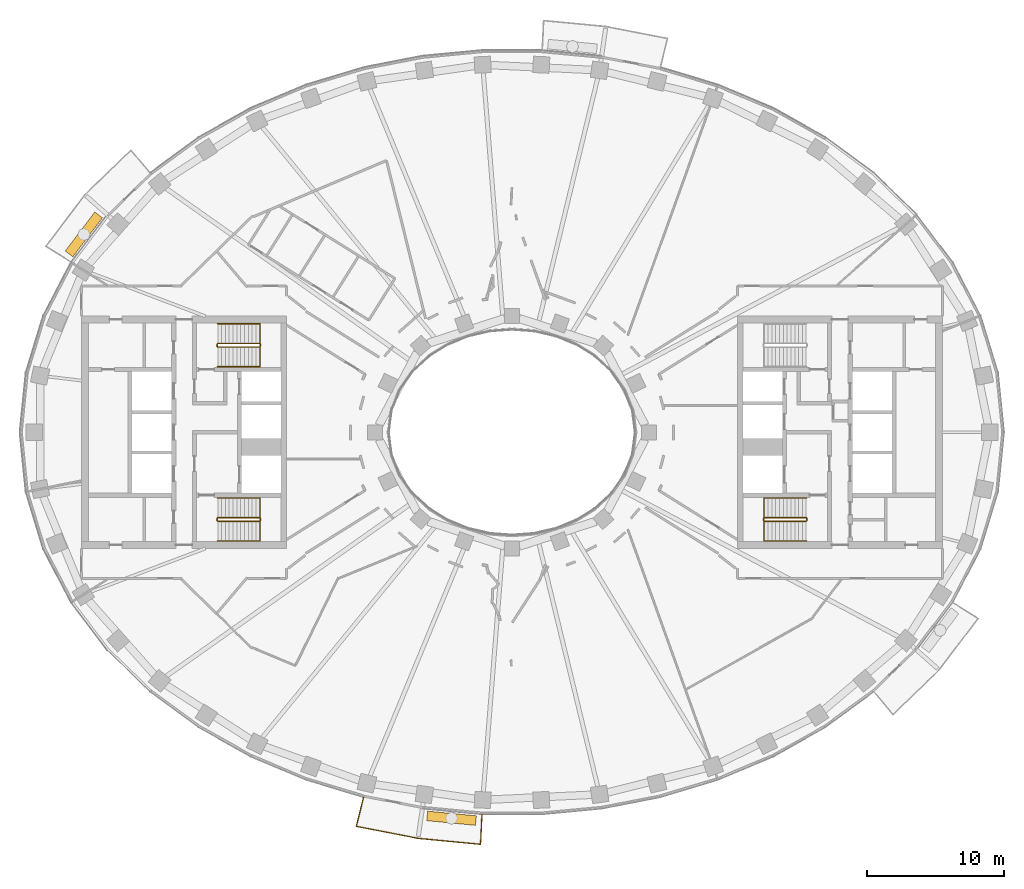
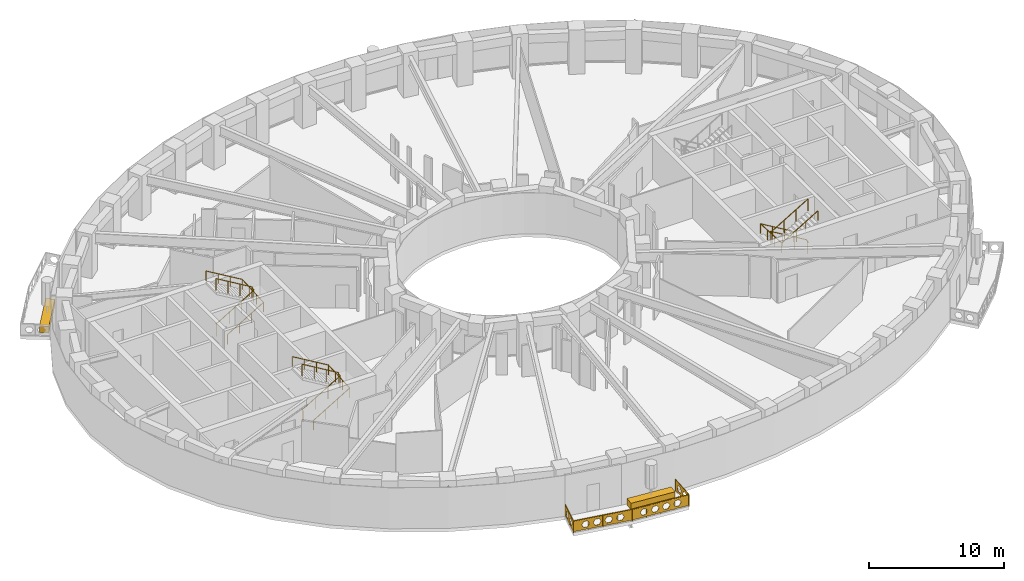
# One storey, part 14 of 16: 7 railings, 2 coverings.
"""IFC4 building model written with IfcOpenShell, lengths in metres."""

from ifc_helpers import new_model, si_unit, direction, frame, origin, origin_2d, place, context, subcontext, project, spatial, polyline, rectangle, outline, extrude, material, type_object, element, save


model = new_model("IFC4")

# Units and contexts
model_context = context("Model", 3, precision=1e-05, world=origin(), true_north=direction((0.0, 1.0)))
body_context = subcontext(model_context, "Body", "Model", "MODEL_VIEW")
ifc_project = project(units=[si_unit("LENGTHUNIT", "METRE"), si_unit("AREAUNIT", "SQUARE_METRE"), si_unit("VOLUMEUNIT", "CUBIC_METRE"), si_unit("PLANEANGLEUNIT", "RADIAN"), si_unit("MASSUNIT", "GRAM", prefix="KILO")], contexts=[model_context])

# Site, building, storey
site_placement = place(None, origin())
site = spatial("IfcSite", under=ifc_project, at=site_placement, CompositionType="ELEMENT")
building_placement = place(site_placement, origin())
building = spatial("IfcBuilding", under=site, at=building_placement, Name="Noorbagh Ring Tower", CompositionType="ELEMENT")
storey_placement = place(building_placement, frame((0.0, 0.0, 154.0)))
storey = spatial("IfcBuildingStorey", under=building, at=storey_placement, Name="L35", CompositionType="ELEMENT", Elevation=154.0)

# Railings
ifc_material_1 = material(Name="Stainless steel", Category="steel")
railing_type_1 = type_object("IfcRailingType", Name="CORE-STAIR-GUARD", PredefinedType="GUARDRAIL", material=ifc_material_1)
railing_1_placement = place(storey_placement, frame((-21.580078125, 6.300048828125, 0.0)))
element("IfcRailing", 1, at=railing_1_placement, inside=storey, type_object=railing_type_1, Name="L35 ST1 stair guard", PredefinedType="GUARDRAIL", context=body_context, shape_type="SweptSolid", body=[
    extrude(rectangle(XDim=0.048095703125, YDim=0.048095703125, at=origin_2d()), frame((0.0, 0.0, 1.076171875), z_axis=(0.0, 1.0, 0.0), x_axis=(-1.0, 0.0, 0.0)), (0.0, 0.0, 1.0), 0.14990234375),
    extrude(rectangle(XDim=0.048095703125, YDim=0.048095703125, at=origin_2d()), frame((0.0, 0.14990234375, 1.076171875), z_axis=(0.188775798145, -0.754182335027, 0.628945707965), x_axis=(0.970072785993, 0.242814311512, 0.0)), (0.0, 0.0, 1.0), 0.26513671875),
    extrude(rectangle(XDim=0.048095703125, YDim=0.048095703125, at=origin_2d()), frame((0.050048828125, -0.050048828125, 1.24267578125), z_axis=(0.859308565015, 0.0, 0.511457515432), x_axis=(0.0, 1.0, 0.0)), (0.0, 0.0, 1.0), 3.58447265625),
    extrude(rectangle(XDim=0.048095703125, YDim=0.048095703125, at=origin_2d()), frame((3.130126953125, -0.050048828125, 3.076171875), z_axis=(0.707106781187, 0.707106781187, 0.0), x_axis=(-0.707106781187, 0.707106781187, 0.0)), (0.0, 0.0, 1.0), 0.07080078125),
    extrude(rectangle(XDim=0.048095703125, YDim=0.048095703125, at=origin_2d()), frame((3.18017578125, 0.0, 3.076171875), z_axis=(0.0, 1.0, 0.0), x_axis=(-1.0, 0.0, 0.0)), (0.0, 0.0, 1.0), 0.14990234375),
    extrude(rectangle(XDim=0.048095703125, YDim=0.048095703125, at=origin_2d()), frame((3.18017578125, 0.14990234375, 3.076171875), z_axis=(-0.27628659633, 0.27628659633, 0.920506074601), x_axis=(-0.707106781187, -0.707106781187, 0.0)), (0.0, 0.0, 1.0), 0.18115234375),
    extrude(rectangle(XDim=0.048095703125, YDim=0.048095703125, at=origin_2d()), frame((3.130126953125, 0.199951171875, 3.24267578125), z_axis=(-0.859308565015, 0.0, 0.511457515432), x_axis=(0.0, -1.0, 0.0)), (0.0, 0.0, 1.0), 3.58447265625),
    extrude(rectangle(XDim=0.0419921875, YDim=0.0419921875, at=origin_2d()), origin(), (0.0, 0.0, 1.0), 1.052001953125),
    extrude(rectangle(XDim=0.0419921875, YDim=0.0419921875, at=origin_2d()), frame((1.07666015625, -0.050048828125, 0.77783203125)), (0.0, 0.0, 1.0), 1.052001953125),
    extrude(rectangle(XDim=0.0419921875, YDim=0.0419921875, at=origin_2d()), frame((2.103515625, -0.050048828125, 1.388916015625)), (0.0, 0.0, 1.0), 1.052001953125),
    extrude(rectangle(XDim=0.0419921875, YDim=0.0419921875, at=origin_2d()), frame((3.130126953125, -0.050048828125, 2.0)), (0.0, 0.0, 1.0), 1.052001953125),
    extrude(rectangle(XDim=0.0419921875, YDim=0.0419921875, at=origin_2d()), frame((3.130126953125, 0.199951171875, 2.166748046875)), (0.0, 0.0, 1.0), 1.052001953125),
    extrude(rectangle(XDim=0.0419921875, YDim=0.0419921875, at=origin_2d()), frame((2.103515625, 0.199951171875, 2.77783203125)), (0.0, 0.0, 1.0), 1.052001953125),
    extrude(rectangle(XDim=0.0419921875, YDim=0.0419921875, at=origin_2d()), frame((1.07666015625, 0.199951171875, 3.388916015625)), (0.0, 0.0, 1.0), 1.052001953125),
    extrude(rectangle(XDim=0.0419921875, YDim=0.0419921875, at=origin_2d()), frame((0.050048828125, 0.199951171875, 4.0)), (0.0, 0.0, 1.0), 1.052001953125),
])
railing_2_placement = place(storey_placement, frame((-21.580078125, -6.449951171875, 0.0)))
element("IfcRailing", 2, at=railing_2_placement, inside=storey, type_object=railing_type_1, Name="L35 ST2 stair guard", PredefinedType="GUARDRAIL", context=body_context, shape_type="SweptSolid", body=[
    extrude(rectangle(XDim=0.048095703125, YDim=0.048095703125, at=origin_2d()), frame((0.0, 0.0, 1.076171875), z_axis=(0.0, 1.0, 0.0), x_axis=(-1.0, 0.0, 0.0)), (0.0, 0.0, 1.0), 0.14990234375),
    extrude(rectangle(XDim=0.048095703125, YDim=0.048095703125, at=origin_2d()), frame((0.0, 0.14990234375, 1.076171875), z_axis=(0.188775798145, -0.754182335027, 0.628945707965), x_axis=(0.970072785993, 0.242814311512, 0.0)), (0.0, 0.0, 1.0), 0.26513671875),
    extrude(rectangle(XDim=0.048095703125, YDim=0.048095703125, at=origin_2d()), frame((0.050048828125, -0.050048828125, 1.24267578125), z_axis=(0.859308565015, 0.0, 0.511457515432), x_axis=(0.0, 1.0, 0.0)), (0.0, 0.0, 1.0), 3.58447265625),
    extrude(rectangle(XDim=0.048095703125, YDim=0.048095703125, at=origin_2d()), frame((3.130126953125, -0.050048828125, 3.076171875), z_axis=(0.707106781187, 0.707106781187, 0.0), x_axis=(-0.707106781187, 0.707106781187, 0.0)), (0.0, 0.0, 1.0), 0.07080078125),
    extrude(rectangle(XDim=0.048095703125, YDim=0.048095703125, at=origin_2d()), frame((3.18017578125, 0.0, 3.076171875), z_axis=(0.0, 1.0, 0.0), x_axis=(-1.0, 0.0, 0.0)), (0.0, 0.0, 1.0), 0.14990234375),
    extrude(rectangle(XDim=0.048095703125, YDim=0.048095703125, at=origin_2d()), frame((3.18017578125, 0.14990234375, 3.076171875), z_axis=(-0.27628659633, 0.27628659633, 0.920506074601), x_axis=(-0.707106781187, -0.707106781187, 0.0)), (0.0, 0.0, 1.0), 0.18115234375),
    extrude(rectangle(XDim=0.048095703125, YDim=0.048095703125, at=origin_2d()), frame((3.130126953125, 0.199951171875, 3.24267578125), z_axis=(-0.859308565015, 0.0, 0.511457515432), x_axis=(0.0, -1.0, 0.0)), (0.0, 0.0, 1.0), 3.58447265625),
    extrude(rectangle(XDim=0.0419921875, YDim=0.0419921875, at=origin_2d()), origin(), (0.0, 0.0, 1.0), 1.052001953125),
    extrude(rectangle(XDim=0.0419921875, YDim=0.0419921875, at=origin_2d()), frame((1.07666015625, -0.050048828125, 0.77783203125)), (0.0, 0.0, 1.0), 1.052001953125),
    extrude(rectangle(XDim=0.0419921875, YDim=0.0419921875, at=origin_2d()), frame((2.103515625, -0.050048828125, 1.388916015625)), (0.0, 0.0, 1.0), 1.052001953125),
    extrude(rectangle(XDim=0.0419921875, YDim=0.0419921875, at=origin_2d()), frame((3.130126953125, -0.050048828125, 2.0)), (0.0, 0.0, 1.0), 1.052001953125),
    extrude(rectangle(XDim=0.0419921875, YDim=0.0419921875, at=origin_2d()), frame((3.130126953125, 0.199951171875, 2.166748046875)), (0.0, 0.0, 1.0), 1.052001953125),
    extrude(rectangle(XDim=0.0419921875, YDim=0.0419921875, at=origin_2d()), frame((2.103515625, 0.199951171875, 2.77783203125)), (0.0, 0.0, 1.0), 1.052001953125),
    extrude(rectangle(XDim=0.0419921875, YDim=0.0419921875, at=origin_2d()), frame((1.07666015625, 0.199951171875, 3.388916015625)), (0.0, 0.0, 1.0), 1.052001953125),
    extrude(rectangle(XDim=0.0419921875, YDim=0.0419921875, at=origin_2d()), frame((0.050048828125, 0.199951171875, 4.0)), (0.0, 0.0, 1.0), 1.052001953125),
])
railing_3_placement = place(storey_placement, frame((21.580078125, -6.300048828125, 0.0)))
element("IfcRailing", 3, at=railing_3_placement, inside=storey, type_object=railing_type_1, Name="L35 ST4 stair guard", PredefinedType="GUARDRAIL", context=body_context, shape_type="SweptSolid", body=[
    extrude(rectangle(XDim=0.048095703125, YDim=0.048095703125, at=origin_2d()), frame((0.0, 0.0, 1.076171875), z_axis=(0.0, -1.0, 0.0), x_axis=(1.0, 0.0, 0.0)), (0.0, 0.0, 1.0), 0.14990234375),
    extrude(rectangle(XDim=0.048095703125, YDim=0.048095703125, at=origin_2d()), frame((0.0, -0.14990234375, 1.076171875), z_axis=(-0.188775798145, 0.754182335027, 0.628945707965), x_axis=(-0.970072785993, -0.242814311512, 0.0)), (0.0, 0.0, 1.0), 0.26513671875),
    extrude(rectangle(XDim=0.048095703125, YDim=0.048095703125, at=origin_2d()), frame((-0.050048828125, 0.050048828125, 1.24267578125), z_axis=(-0.859308565015, 0.0, 0.511457515432), x_axis=(0.0, -1.0, 0.0)), (0.0, 0.0, 1.0), 3.58447265625),
    extrude(rectangle(XDim=0.048095703125, YDim=0.048095703125, at=origin_2d()), frame((-3.130126953125, 0.050048828125, 3.076171875), z_axis=(-0.707106781187, -0.707106781187, 0.0), x_axis=(0.707106781187, -0.707106781187, 0.0)), (0.0, 0.0, 1.0), 0.07080078125),
    extrude(rectangle(XDim=0.048095703125, YDim=0.048095703125, at=origin_2d()), frame((-3.18017578125, 0.0, 3.076171875), z_axis=(0.0, -1.0, 0.0), x_axis=(1.0, 0.0, 0.0)), (0.0, 0.0, 1.0), 0.14990234375),
    extrude(rectangle(XDim=0.048095703125, YDim=0.048095703125, at=origin_2d()), frame((-3.18017578125, -0.14990234375, 3.076171875), z_axis=(0.27628659633, -0.27628659633, 0.920506074601), x_axis=(0.707106781187, 0.707106781187, 0.0)), (0.0, 0.0, 1.0), 0.18115234375),
    extrude(rectangle(XDim=0.048095703125, YDim=0.048095703125, at=origin_2d()), frame((-3.130126953125, -0.199951171875, 3.24267578125), z_axis=(0.859308565015, 0.0, 0.511457515432), x_axis=(0.0, 1.0, 0.0)), (0.0, 0.0, 1.0), 3.58447265625),
    extrude(rectangle(XDim=0.0419921875, YDim=0.0419921875, at=origin_2d()), origin(), (0.0, 0.0, 1.0), 1.052001953125),
    extrude(rectangle(XDim=0.0419921875, YDim=0.0419921875, at=origin_2d()), frame((-1.07666015625, 0.050048828125, 0.77783203125)), (0.0, 0.0, 1.0), 1.052001953125),
    extrude(rectangle(XDim=0.0419921875, YDim=0.0419921875, at=origin_2d()), frame((-2.103515625, 0.050048828125, 1.388916015625)), (0.0, 0.0, 1.0), 1.052001953125),
    extrude(rectangle(XDim=0.0419921875, YDim=0.0419921875, at=origin_2d()), frame((-3.130126953125, 0.050048828125, 2.0)), (0.0, 0.0, 1.0), 1.052001953125),
    extrude(rectangle(XDim=0.0419921875, YDim=0.0419921875, at=origin_2d()), frame((-3.130126953125, -0.199951171875, 2.166748046875)), (0.0, 0.0, 1.0), 1.052001953125),
    extrude(rectangle(XDim=0.0419921875, YDim=0.0419921875, at=origin_2d()), frame((-2.103515625, -0.199951171875, 2.77783203125)), (0.0, 0.0, 1.0), 1.052001953125),
    extrude(rectangle(XDim=0.0419921875, YDim=0.0419921875, at=origin_2d()), frame((-1.07666015625, -0.199951171875, 3.388916015625)), (0.0, 0.0, 1.0), 1.052001953125),
    extrude(rectangle(XDim=0.0419921875, YDim=0.0419921875, at=origin_2d()), frame((-0.050048828125, -0.199951171875, 4.0)), (0.0, 0.0, 1.0), 1.052001953125),
])
ifc_material_2 = material(Name="Stainless steel", Category="steel")
railing_type_2 = type_object("IfcRailingType", Name="CORE-STAIR-HANDRAIL", PredefinedType="HANDRAIL", material=ifc_material_2)
railing_4_placement = place(storey_placement, frame((-21.530029296875, 4.800048828125, 0.166748046875)))
element("IfcRailing", 4, at=railing_4_placement, inside=storey, type_object=railing_type_2, Name="L35 ST1 stair handrail", PredefinedType="HANDRAIL", context=body_context, shape_type="SweptSolid", body=[
    extrude(rectangle(XDim=0.048095703125, YDim=0.048095703125, at=origin_2d()), frame((0.0, 0.0, 0.8759765625), z_axis=(0.859308565015, 0.0, 0.511457515432), x_axis=(0.0, 1.0, 0.0)), (0.0, 0.0, 1.0), 3.58447265625),
    extrude(rectangle(XDim=0.048095703125, YDim=0.048095703125, at=origin_2d()), frame((3.080078125, 0.0, 2.708984375), z_axis=(0.0, 0.998601747152, 0.052863509014), x_axis=(-1.0, 0.0, 0.0)), (0.0, 0.0, 1.0), 3.154296875),
    extrude(rectangle(XDim=0.048095703125, YDim=0.048095703125, at=origin_2d()), frame((3.080078125, 3.14990234375, 2.8759765625), z_axis=(-0.859308565015, 0.0, 0.511457515432), x_axis=(0.0, -1.0, 0.0)), (0.0, 0.0, 1.0), 3.58447265625),
    extrude(rectangle(XDim=0.0419921875, YDim=0.0419921875, at=origin_2d()), origin(), (0.0, 0.0, 1.0), 0.851806640625),
    extrude(rectangle(XDim=0.0419921875, YDim=0.0419921875, at=origin_2d()), frame((1.026611328125, 0.0, 0.611083984375)), (0.0, 0.0, 1.0), 0.851806640625),
    extrude(rectangle(XDim=0.0419921875, YDim=0.0419921875, at=origin_2d()), frame((2.053466796875, 0.0, 1.22216796875)), (0.0, 0.0, 1.0), 0.851806640625),
    extrude(rectangle(XDim=0.0419921875, YDim=0.0419921875, at=origin_2d()), frame((3.080078125, 0.0, 1.833251953125)), (0.0, 0.0, 1.0), 0.851806640625),
    extrude(rectangle(XDim=0.0419921875, YDim=0.0419921875, at=origin_2d()), frame((3.080078125, 1.050048828125, 1.888916015625)), (0.0, 0.0, 1.0), 0.851806640625),
    extrude(rectangle(XDim=0.0419921875, YDim=0.0419921875, at=origin_2d()), frame((3.080078125, 2.099853515625, 1.9443359375)), (0.0, 0.0, 1.0), 0.851806640625),
    extrude(rectangle(XDim=0.0419921875, YDim=0.0419921875, at=origin_2d()), frame((3.080078125, 3.14990234375, 2.0)), (0.0, 0.0, 1.0), 0.851806640625),
    extrude(rectangle(XDim=0.0419921875, YDim=0.0419921875, at=origin_2d()), frame((2.053466796875, 3.14990234375, 2.611083984375)), (0.0, 0.0, 1.0), 0.851806640625),
    extrude(rectangle(XDim=0.0419921875, YDim=0.0419921875, at=origin_2d()), frame((1.026611328125, 3.14990234375, 3.22216796875)), (0.0, 0.0, 1.0), 0.851806640625),
    extrude(rectangle(XDim=0.0419921875, YDim=0.0419921875, at=origin_2d()), frame((0.0, 3.14990234375, 3.833251953125)), (0.0, 0.0, 1.0), 0.851806640625),
])
railing_5_placement = place(storey_placement, frame((-21.530029296875, -7.949951171875, 0.166748046875)))
element("IfcRailing", 5, at=railing_5_placement, inside=storey, type_object=railing_type_2, Name="L35 ST2 stair handrail", PredefinedType="HANDRAIL", context=body_context, shape_type="SweptSolid", body=[
    extrude(rectangle(XDim=0.048095703125, YDim=0.048095703125, at=origin_2d()), frame((0.0, 0.0, 0.8759765625), z_axis=(0.859308565015, 0.0, 0.511457515432), x_axis=(0.0, 1.0, 0.0)), (0.0, 0.0, 1.0), 3.58447265625),
    extrude(rectangle(XDim=0.048095703125, YDim=0.048095703125, at=origin_2d()), frame((3.080078125, 0.0, 2.708984375), z_axis=(0.0, 0.998601747152, 0.052863509014), x_axis=(-1.0, 0.0, 0.0)), (0.0, 0.0, 1.0), 3.154296875),
    extrude(rectangle(XDim=0.048095703125, YDim=0.048095703125, at=origin_2d()), frame((3.080078125, 3.14990234375, 2.8759765625), z_axis=(-0.859308565015, 0.0, 0.511457515432), x_axis=(0.0, -1.0, 0.0)), (0.0, 0.0, 1.0), 3.58447265625),
    extrude(rectangle(XDim=0.0419921875, YDim=0.0419921875, at=origin_2d()), origin(), (0.0, 0.0, 1.0), 0.851806640625),
    extrude(rectangle(XDim=0.0419921875, YDim=0.0419921875, at=origin_2d()), frame((1.026611328125, 0.0, 0.611083984375)), (0.0, 0.0, 1.0), 0.851806640625),
    extrude(rectangle(XDim=0.0419921875, YDim=0.0419921875, at=origin_2d()), frame((2.053466796875, 0.0, 1.22216796875)), (0.0, 0.0, 1.0), 0.851806640625),
    extrude(rectangle(XDim=0.0419921875, YDim=0.0419921875, at=origin_2d()), frame((3.080078125, 0.0, 1.833251953125)), (0.0, 0.0, 1.0), 0.851806640625),
    extrude(rectangle(XDim=0.0419921875, YDim=0.0419921875, at=origin_2d()), frame((3.080078125, 1.050048828125, 1.888916015625)), (0.0, 0.0, 1.0), 0.851806640625),
    extrude(rectangle(XDim=0.0419921875, YDim=0.0419921875, at=origin_2d()), frame((3.080078125, 2.099853515625, 1.9443359375)), (0.0, 0.0, 1.0), 0.851806640625),
    extrude(rectangle(XDim=0.0419921875, YDim=0.0419921875, at=origin_2d()), frame((3.080078125, 3.14990234375, 2.0)), (0.0, 0.0, 1.0), 0.851806640625),
    extrude(rectangle(XDim=0.0419921875, YDim=0.0419921875, at=origin_2d()), frame((2.053466796875, 3.14990234375, 2.611083984375)), (0.0, 0.0, 1.0), 0.851806640625),
    extrude(rectangle(XDim=0.0419921875, YDim=0.0419921875, at=origin_2d()), frame((1.026611328125, 3.14990234375, 3.22216796875)), (0.0, 0.0, 1.0), 0.851806640625),
    extrude(rectangle(XDim=0.0419921875, YDim=0.0419921875, at=origin_2d()), frame((0.0, 3.14990234375, 3.833251953125)), (0.0, 0.0, 1.0), 0.851806640625),
])
railing_6_placement = place(storey_placement, frame((21.530029296875, -4.800048828125, 0.166748046875)))
element("IfcRailing", 6, at=railing_6_placement, inside=storey, type_object=railing_type_2, Name="L35 ST4 stair handrail", PredefinedType="HANDRAIL", context=body_context, shape_type="SweptSolid", body=[
    extrude(rectangle(XDim=0.048095703125, YDim=0.048095703125, at=origin_2d()), frame((0.0, 0.0, 0.8759765625), z_axis=(-0.859308565015, 0.0, 0.511457515432), x_axis=(0.0, -1.0, 0.0)), (0.0, 0.0, 1.0), 3.58447265625),
    extrude(rectangle(XDim=0.048095703125, YDim=0.048095703125, at=origin_2d()), frame((-3.080078125, 0.0, 2.708984375), z_axis=(0.0, -0.998601747152, 0.052863509014), x_axis=(1.0, 0.0, 0.0)), (0.0, 0.0, 1.0), 3.154296875),
    extrude(rectangle(XDim=0.048095703125, YDim=0.048095703125, at=origin_2d()), frame((-3.080078125, -3.14990234375, 2.8759765625), z_axis=(0.859308565015, 0.0, 0.511457515432), x_axis=(0.0, 1.0, 0.0)), (0.0, 0.0, 1.0), 3.58447265625),
    extrude(rectangle(XDim=0.0419921875, YDim=0.0419921875, at=origin_2d()), origin(), (0.0, 0.0, 1.0), 0.851806640625),
    extrude(rectangle(XDim=0.0419921875, YDim=0.0419921875, at=origin_2d()), frame((-1.026611328125, 0.0, 0.611083984375)), (0.0, 0.0, 1.0), 0.851806640625),
    extrude(rectangle(XDim=0.0419921875, YDim=0.0419921875, at=origin_2d()), frame((-2.053466796875, 0.0, 1.22216796875)), (0.0, 0.0, 1.0), 0.851806640625),
    extrude(rectangle(XDim=0.0419921875, YDim=0.0419921875, at=origin_2d()), frame((-3.080078125, 0.0, 1.833251953125)), (0.0, 0.0, 1.0), 0.851806640625),
    extrude(rectangle(XDim=0.0419921875, YDim=0.0419921875, at=origin_2d()), frame((-3.080078125, -1.050048828125, 1.888916015625)), (0.0, 0.0, 1.0), 0.851806640625),
    extrude(rectangle(XDim=0.0419921875, YDim=0.0419921875, at=origin_2d()), frame((-3.080078125, -2.099853515625, 1.9443359375)), (0.0, 0.0, 1.0), 0.851806640625),
    extrude(rectangle(XDim=0.0419921875, YDim=0.0419921875, at=origin_2d()), frame((-3.080078125, -3.14990234375, 2.0)), (0.0, 0.0, 1.0), 0.851806640625),
    extrude(rectangle(XDim=0.0419921875, YDim=0.0419921875, at=origin_2d()), frame((-2.053466796875, -3.14990234375, 2.611083984375)), (0.0, 0.0, 1.0), 0.851806640625),
    extrude(rectangle(XDim=0.0419921875, YDim=0.0419921875, at=origin_2d()), frame((-1.026611328125, -3.14990234375, 3.22216796875)), (0.0, 0.0, 1.0), 0.851806640625),
    extrude(rectangle(XDim=0.0419921875, YDim=0.0419921875, at=origin_2d()), frame((0.0, -3.14990234375, 3.833251953125)), (0.0, 0.0, 1.0), 0.851806640625),
])
ifc_material_3 = material(Name="Steel S275 black powder-coated", Category="steel")
railing_type_3 = type_object("IfcRailingType", Name="ENV-GUARD", PredefinedType="GUARDRAIL", material=ifc_material_3)
railing_7_placement = place(storey_placement, frame((-10.865234375, -26.6943359375, 0.0)))
element("IfcRailing", 7, at=railing_7_placement, inside=storey, type_object=railing_type_3, Name="Balcony guard BS03", PredefinedType="GUARDRAIL", context=body_context, shape_type="SweptSolid", body=[
    extrude(rectangle(XDim=0.048095703125, YDim=0.048095703125, at=origin_2d()), frame((0.0, 0.0, 1.076171875), z_axis=(-0.239848558412, -0.970810315679, 0.0), x_axis=(0.970810315679, -0.239848558412, 0.0)), (0.0, 0.0, 1.0), 2.20263671875),
    extrude(rectangle(XDim=0.048095703125, YDim=0.048095703125, at=origin_2d()), frame((-0.5283203125, -2.138427734375, 1.076171875), z_axis=(0.981625049064, -0.1908199755, 0.0), x_axis=(0.1908199755, 0.981625049064, 0.0)), (0.0, 0.0, 1.0), 4.603271484375),
    extrude(rectangle(XDim=0.048095703125, YDim=0.048095703125, at=origin_2d()), frame((3.990478515625, -3.016845703125, 1.076171875), z_axis=(0.995477555764, -0.094997031379, 0.0), x_axis=(0.094997031379, 0.995477555764, 0.0)), (0.0, 0.0, 1.0), 4.59765625),
    extrude(rectangle(XDim=0.048095703125, YDim=0.048095703125, at=origin_2d()), frame((8.5673828125, -3.45361328125, 1.076171875), z_axis=(0.047554616162, 0.998868639252, 0.0), x_axis=(-0.998868639252, 0.047554616162, 0.0)), (0.0, 0.0, 1.0), 2.202392578125),
    extrude(rectangle(XDim=0.0419921875, YDim=0.0419921875, at=origin_2d()), origin(), (0.0, 0.0, 1.0), 1.052001953125),
    extrude(rectangle(XDim=0.0419921875, YDim=0.0419921875, at=origin_2d()), frame((-0.26416015625, -1.0693359375, 0.0)), (0.0, 0.0, 1.0), 1.052001953125),
    extrude(rectangle(XDim=0.0419921875, YDim=0.0419921875, at=origin_2d()), frame((-0.5283203125, -2.138427734375, 0.0)), (0.0, 0.0, 1.0), 1.052001953125),
    extrude(rectangle(XDim=0.0419921875, YDim=0.0419921875, at=origin_2d()), frame((0.601318359375, -2.35791015625, 0.0)), (0.0, 0.0, 1.0), 1.052001953125),
    extrude(rectangle(XDim=0.0419921875, YDim=0.0419921875, at=origin_2d()), frame((1.73095703125, -2.57763671875, 0.0)), (0.0, 0.0, 1.0), 1.052001953125),
    extrude(rectangle(XDim=0.0419921875, YDim=0.0419921875, at=origin_2d()), frame((2.86083984375, -2.79736328125, 0.0)), (0.0, 0.0, 1.0), 1.052001953125),
    extrude(rectangle(XDim=0.0419921875, YDim=0.0419921875, at=origin_2d()), frame((3.990478515625, -3.016845703125, 0.0)), (0.0, 0.0, 1.0), 1.052001953125),
    extrude(rectangle(XDim=0.0419921875, YDim=0.0419921875, at=origin_2d()), frame((5.134765625, -3.1259765625, 0.0)), (0.0, 0.0, 1.0), 1.052001953125),
    extrude(rectangle(XDim=0.0419921875, YDim=0.0419921875, at=origin_2d()), frame((6.27880859375, -3.2353515625, 0.0)), (0.0, 0.0, 1.0), 1.052001953125),
    extrude(rectangle(XDim=0.0419921875, YDim=0.0419921875, at=origin_2d()), frame((7.423095703125, -3.344482421875, 0.0)), (0.0, 0.0, 1.0), 1.052001953125),
    extrude(rectangle(XDim=0.0419921875, YDim=0.0419921875, at=origin_2d()), frame((8.5673828125, -3.45361328125, 0.0)), (0.0, 0.0, 1.0), 1.052001953125),
    extrude(rectangle(XDim=0.0419921875, YDim=0.0419921875, at=origin_2d()), frame((8.61962890625, -2.353515625, 0.0)), (0.0, 0.0, 1.0), 1.052001953125),
    extrude(rectangle(XDim=0.0419921875, YDim=0.0419921875, at=origin_2d()), frame((8.672119140625, -1.253662109375, 0.0)), (0.0, 0.0, 1.0), 1.052001953125),
    extrude(outline(polyline([(0.0, 0.10009765625), (2.20263671875, 0.10009765625), (2.20263671875, 1.031982421875), (0.0, 1.031982421875), (0.0, 0.10009765625)]), holes=[polyline([(0.96142578125, 0.56591796875), (0.806396484375, 0.83447265625), (0.496337890625, 0.83447265625), (0.34130859375, 0.56591796875), (0.496337890625, 0.297607421875), (0.806396484375, 0.297607421875), (0.96142578125, 0.56591796875)]), polyline([(1.861328125, 0.56591796875), (1.706298828125, 0.83447265625), (1.396240234375, 0.83447265625), (1.241455078125, 0.56591796875), (1.396240234375, 0.297607421875), (1.706298828125, 0.297607421875), (1.861328125, 0.56591796875)])]), frame((0.009765625, -0.00244140625, 0.0), z_axis=(-0.970810315679, 0.239848558412, 0.0), x_axis=(-0.239848558412, -0.970810315679, 0.0)), (0.0, 0.0, 1.0), 0.02001953125),
    extrude(outline(polyline([(0.0, 0.10009765625), (4.603271484375, 0.10009765625), (4.603271484375, 1.031982421875), (0.0, 1.031982421875), (0.0, 0.10009765625)]), holes=[polyline([(1.26171875, 0.56591796875), (1.106689453125, 0.83447265625), (0.796630859375, 0.83447265625), (0.6416015625, 0.56591796875), (0.796630859375, 0.297607421875), (1.106689453125, 0.297607421875), (1.26171875, 0.56591796875)]), polyline([(2.16162109375, 0.56591796875), (2.006591796875, 0.83447265625), (1.69677734375, 0.83447265625), (1.541748046875, 0.56591796875), (1.69677734375, 0.297607421875), (2.006591796875, 0.297607421875), (2.16162109375, 0.56591796875)]), polyline([(3.061767578125, 0.56591796875), (2.90673828125, 0.83447265625), (2.5966796875, 0.83447265625), (2.441650390625, 0.56591796875), (2.5966796875, 0.297607421875), (2.90673828125, 0.297607421875), (3.061767578125, 0.56591796875)]), polyline([(3.961669921875, 0.56591796875), (3.806640625, 0.83447265625), (3.49658203125, 0.83447265625), (3.341796875, 0.56591796875), (3.49658203125, 0.297607421875), (3.806640625, 0.297607421875), (3.961669921875, 0.56591796875)])]), frame((-0.5263671875, -2.128662109375, 0.0), z_axis=(-0.1908199755, -0.981625049064, 0.0), x_axis=(0.981625049064, -0.1908199755, 0.0)), (0.0, 0.0, 1.0), 0.02001953125),
    extrude(outline(polyline([(0.0, 0.10009765625), (4.59765625, 0.10009765625), (4.59765625, 1.031982421875), (0.0, 1.031982421875), (0.0, 0.10009765625)]), holes=[polyline([(1.2587890625, 0.56591796875), (1.103759765625, 0.83447265625), (0.7939453125, 0.83447265625), (0.638916015625, 0.56591796875), (0.7939453125, 0.297607421875), (1.103759765625, 0.297607421875), (1.2587890625, 0.56591796875)]), polyline([(2.158935546875, 0.56591796875), (2.00390625, 0.83447265625), (1.69384765625, 0.83447265625), (1.538818359375, 0.56591796875), (1.69384765625, 0.297607421875), (2.00390625, 0.297607421875), (2.158935546875, 0.56591796875)]), polyline([(3.058837890625, 0.56591796875), (2.90380859375, 0.83447265625), (2.59375, 0.83447265625), (2.43896484375, 0.56591796875), (2.59375, 0.297607421875), (2.90380859375, 0.297607421875), (3.058837890625, 0.56591796875)]), polyline([(3.958740234375, 0.56591796875), (3.803955078125, 0.83447265625), (3.493896484375, 0.83447265625), (3.3388671875, 0.56591796875), (3.493896484375, 0.297607421875), (3.803955078125, 0.297607421875), (3.958740234375, 0.56591796875)])]), frame((3.991455078125, -3.0068359375, 0.0), z_axis=(-0.094997031379, -0.995477555764, 0.0), x_axis=(0.995477555764, -0.094997031379, 0.0)), (0.0, 0.0, 1.0), 0.02001953125),
    extrude(outline(polyline([(0.0, 0.10009765625), (2.202392578125, 0.10009765625), (2.202392578125, 1.031982421875), (0.0, 1.031982421875), (0.0, 0.10009765625)]), holes=[polyline([(0.961181640625, 0.56591796875), (0.80615234375, 0.83447265625), (0.496337890625, 0.83447265625), (0.34130859375, 0.56591796875), (0.496337890625, 0.297607421875), (0.80615234375, 0.297607421875), (0.961181640625, 0.56591796875)]), polyline([(1.861328125, 0.56591796875), (1.706298828125, 0.83447265625), (1.396240234375, 0.83447265625), (1.2412109375, 0.56591796875), (1.396240234375, 0.297607421875), (1.706298828125, 0.297607421875), (1.861328125, 0.56591796875)])]), frame((8.557373046875, -3.453125, 0.0), z_axis=(0.998868639252, -0.047554616162, 0.0), x_axis=(0.047554616162, 0.998868639252, 0.0)), (0.0, 0.0, 1.0), 0.02001953125),
])

# Coverings
ifc_material_4 = material(Name="Concrete C30/37 planter with soil", Category="concrete")
covering_type = type_object("IfcCoveringType", Name="ENV-PLANTER", PredefinedType="CLADDING", material=ifc_material_4)
covering_1_placement = place(storey_placement, frame((-31.329833984375, 14.4833984375, 0.0), z_axis=(0.0, 0.0, 1.0), x_axis=(-0.604020184358, -0.796969018776, 0.0)))
element("IfcCovering", 8, at=covering_1_placement, inside=storey, type_object=covering_type, Name="PLANTER BN06", ObjectType="PLANTER", PredefinedType="CLADDING", context=body_context, shape_type="SweptSolid", body=[
    extrude(rectangle(XDim=3.583251953125, YDim=0.699951171875, at=origin_2d()), origin(), (0.0, 0.0, 1.0), 0.60009765625),
])
covering_2_placement = place(storey_placement, frame((-4.423828125, -28.2373046875, 0.0), z_axis=(0.0, 0.0, 1.0), x_axis=(0.995476497323, -0.095008122171, 0.0)))
element("IfcCovering", 9, at=covering_2_placement, inside=storey, type_object=covering_type, Name="PLANTER BS03", ObjectType="PLANTER", PredefinedType="CLADDING", context=body_context, shape_type="SweptSolid", body=[
    extrude(rectangle(XDim=3.58642578125, YDim=0.699951171875, at=origin_2d()), origin(), (0.0, 0.0, 1.0), 0.60009765625),
])

save(model, "model.ifc")
